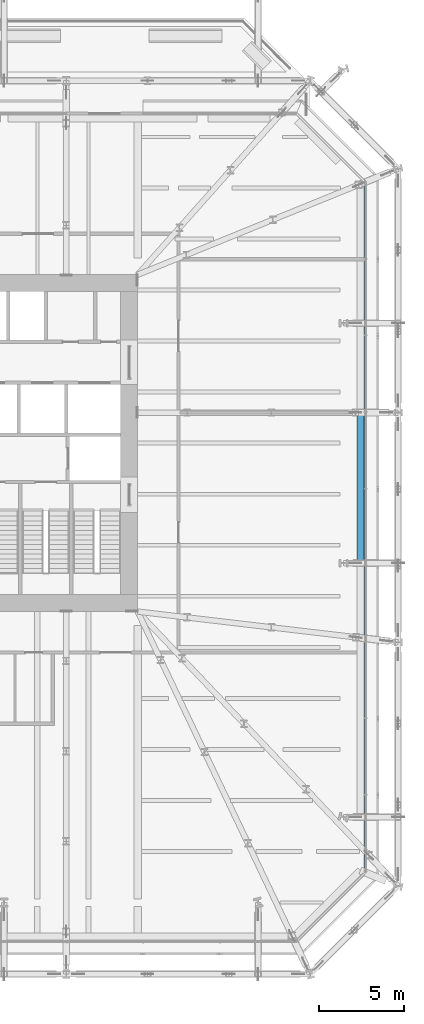
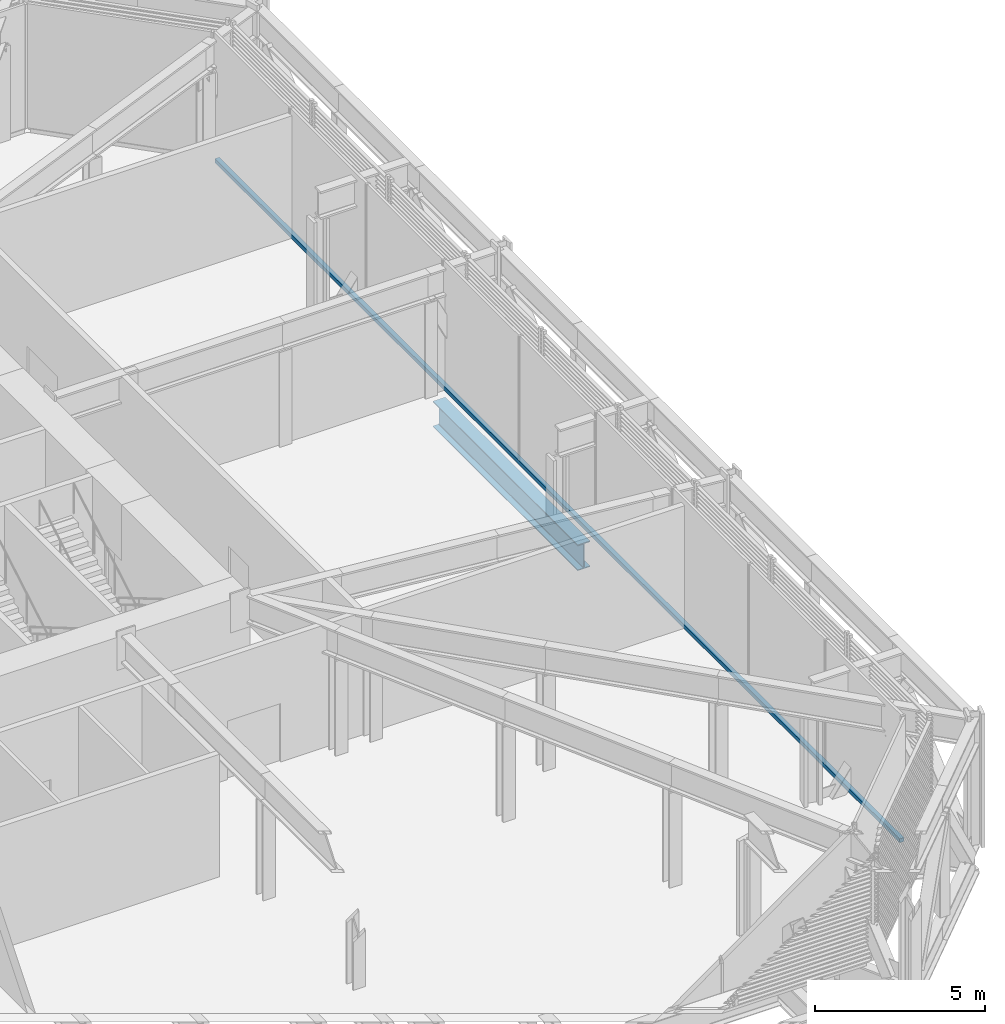
# One storey, part 9 of 29: 1 beam, 1 member, 1 element without a shape of its own.
"""IFC4 building model written with IfcOpenShell, lengths in metres."""

from ifc_helpers import new_model, si_unit, direction, frame, origin, origin_2d, place, context, subcontext, project, spatial, rectangle, i_section, extrude, material, layer, layer_set, material_profile, profile_set, type_object, element, aggregate, save


model = new_model("IFC4")

# Units and contexts
model_context = context("Model", 3, precision=1e-05, world=origin(), true_north=direction((0.0, 1.0)))
body_context = subcontext(model_context, "Body", "Model", "MODEL_VIEW")
ifc_project = project(units=[si_unit("LENGTHUNIT", "METRE"), si_unit("AREAUNIT", "SQUARE_METRE"), si_unit("VOLUMEUNIT", "CUBIC_METRE"), si_unit("PLANEANGLEUNIT", "RADIAN"), si_unit("MASSUNIT", "GRAM", prefix="KILO")], contexts=[model_context])

# Site, building, storey
site_placement = place(None, origin())
site = spatial("IfcSite", under=ifc_project, at=site_placement, CompositionType="ELEMENT")
building_placement = place(site_placement, origin())
building = spatial("IfcBuilding", under=site, at=building_placement, Name="Millrace Tower", CompositionType="ELEMENT")
storey_placement = place(building_placement, frame((0.0, 0.0, 68.60009765625)))
storey = spatial("IfcBuildingStorey", under=building, at=storey_placement, Name="L15", CompositionType="ELEMENT", Elevation=68.60009765625)

# Curtain wall, member
ifc_material_1 = material(Name="Aluminium and glass", Category="aluminium")
ifc_layer = layer(ifc_material_1, 0.14990234375)
ifc_layer_set = layer_set([ifc_layer], Name="Aluminium and glass")
curtain_wall_type = type_object("IfcCurtainWallType", Name="CW-5 truss and plant storey louvred infill", PredefinedType="NOTDEFINED", material=ifc_layer_set)
curtain_wall_placement = place(storey_placement, origin())
curtain_wall = element("IfcCurtainWall", 1, at=curtain_wall_placement, inside=storey, type_object=curtain_wall_type, Name="Curtain wall B-F04 L15", PredefinedType="NOTDEFINED")
ifc_material_2 = material(Name="Aluminium", Category="aluminium")
ifc_material_profile_1 = material_profile(ifc_material_2, rectangle(XDim=0.14990234375, YDim=0.139892578125, at=origin_2d()))
ifc_profile_set_1 = profile_set([ifc_material_profile_1], Name="Aluminium")
member_type = type_object("IfcMemberType", Name="CW-5 truss and plant storey louvred infill transom", PredefinedType="USERDEFINED", material=ifc_profile_set_1)
member_placement = place(storey_placement, frame((28.27490234375, -25.10009765625, 0.06982421875), z_axis=(0.0, 1.0, 0.0), x_axis=(-1.0, 0.0, 0.0)))
member = element("IfcMember", 2, at=member_placement, type_object=member_type, Name="CW5 transom B-F04.1", ObjectType="TRANSOM", PredefinedType="USERDEFINED", context=body_context, shape_type="SweptSolid", body=[
    extrude(rectangle(XDim=0.14990234375, YDim=0.139892578125, at=origin_2d()), origin(), (0.0, 0.0, 1.0), 40.300048828125),
])
aggregate(curtain_wall, [member])

# Beam
ifc_material_3 = material(Name="Steel ASTM A992 Grade 50", Category="steel")
ifc_material_profile_2 = material_profile(ifc_material_3, i_section(OverallWidth=0.419189453125, OverallDepth=0.927001953125, WebThickness=0.019287109375, FlangeThickness=0.031982421875, FilletRadius=0.024169921875, at=origin_2d()))
ifc_profile_set_2 = profile_set([ifc_material_profile_2], Name="Steel ASTM A992 Grade 50")
beam_type = type_object("IfcBeamType", Name="Ring beam short span W36x231", PredefinedType="SPANDREL", material=ifc_profile_set_2)
beam_placement = place(storey_placement, frame((27.990478515625, 1.638671875, -0.66357421875), z_axis=(0.0, -1.0, 0.0), x_axis=(1.0, 0.0, 0.0)))
element("IfcBeam", 3, at=beam_placement, inside=storey, type_object=beam_type, Name="RNG-B-L15-S1-10-a", PredefinedType="SPANDREL", context=body_context, shape_type="SweptSolid", body=[
    extrude(i_section(OverallWidth=0.419189453125, OverallDepth=0.927001953125, WebThickness=0.019287109375, FlangeThickness=0.031982421875, FilletRadius=0.024169921875, at=origin_2d()), origin(), (0.0, 0.0, 1.0), 8.52587890625),
])

save(model, "model.ifc")
